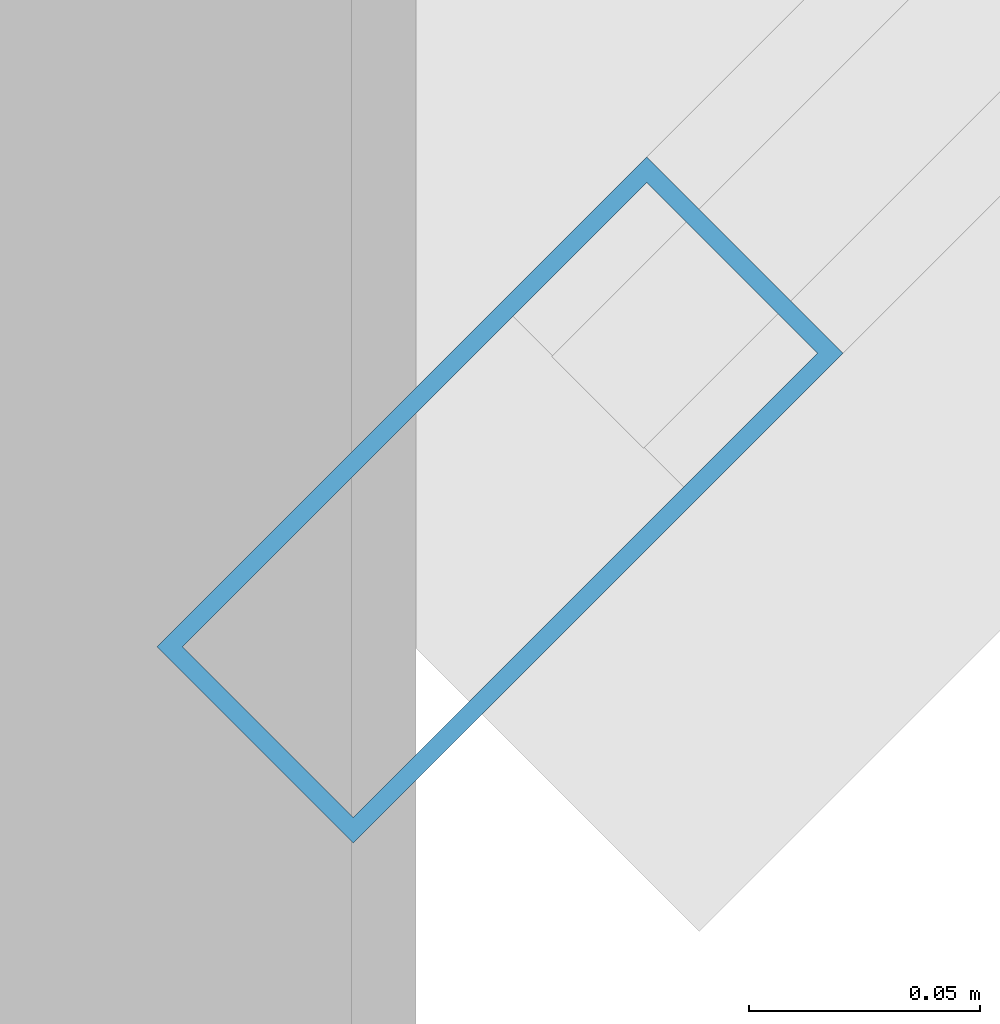
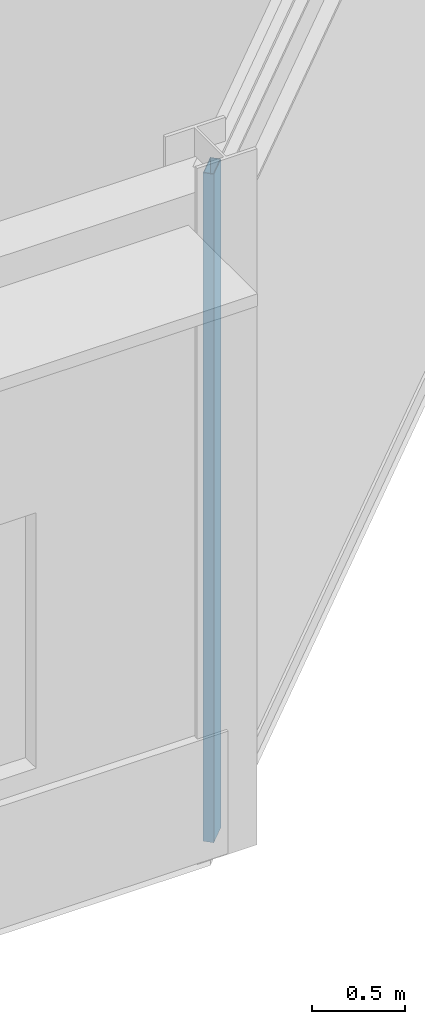
# One storey, part 31 of 116: 1 member, 1 element without a shape of its own.
"""IFC4 building model written with IfcOpenShell, lengths in metres."""

from ifc_helpers import new_model, si_unit, direction, frame, origin, origin_2d, place, context, subcontext, project, spatial, hollow_rectangle, extrude, material, material_profile, profile_set, type_object, element, aggregate, save


model = new_model("IFC4")

# Units and contexts
model_context = context("Model", 3, precision=1e-05, world=origin(), true_north=direction((0.0, 1.0)))
body_context = subcontext(model_context, "Body", "Model", "MODEL_VIEW")
ifc_project = project(units=[si_unit("LENGTHUNIT", "METRE"), si_unit("AREAUNIT", "SQUARE_METRE"), si_unit("VOLUMEUNIT", "CUBIC_METRE"), si_unit("PLANEANGLEUNIT", "RADIAN"), si_unit("MASSUNIT", "GRAM", prefix="KILO")], contexts=[model_context])

# Site, building, storey
site_placement = place(None, origin())
site = spatial("IfcSite", under=ifc_project, at=site_placement, CompositionType="ELEMENT")
building_placement = place(site_placement, origin())
building = spatial("IfcBuilding", under=site, at=building_placement, Name="Almandine Court Research Institute", CompositionType="ELEMENT")
storey_placement = place(building_placement, frame((0.0, 0.0, 14.35009765625)))
storey = spatial("IfcBuildingStorey", under=building, at=storey_placement, Name="L03", CompositionType="ELEMENT", Elevation=14.35009765625)

# Curtain wall, member
ifc_material_1 = material(Name="Unitised Curtain Wall Framing and Solar Glazing", Category="glass")
curtain_wall_type = type_object("IfcCurtainWallType", Name="CW-CWG-05", PredefinedType="USERDEFINED", material=ifc_material_1)
curtain_wall_placement = place(storey_placement, origin())
curtain_wall = element("IfcCurtainWall", 1, at=curtain_wall_placement, inside=storey, type_object=curtain_wall_type, Name="L03 Cleanroom SE Chamfer Glazing", ObjectType="UNITISED GLAZING", PredefinedType="USERDEFINED")
ifc_material_2 = material(Name="Anodised Aluminium AW-6063-T6", Category="aluminium")
ifc_material_profile = material_profile(ifc_material_2, hollow_rectangle(XDim=0.06005859375, YDim=0.14990234375, WallThickness=0.00390625, at=origin_2d()), Name="ALU RHS 60x150x4")
ifc_profile_set = profile_set([ifc_material_profile], Name="Anodised Aluminium AW-6063-T6")
member_type = type_object("IfcMemberType", Name="CWMul-60x150", PredefinedType="MULLION", material=ifc_profile_set)
member_placement = place(storey_placement, frame((30.025146484375, 84.025146484375, 0.0), z_axis=(0.0, 0.0, 1.0), x_axis=(0.707106781187, -0.707106781187, 0.0)))
member = element("IfcMember", 2, at=member_placement, type_object=member_type, Name="CWG-05 mullion 2", PredefinedType="MULLION", context=body_context, shape_type="SweptSolid", body=[
    extrude(hollow_rectangle(XDim=0.06005859375, YDim=0.14990234375, WallThickness=0.00390625, at=origin_2d()), origin(), (0.0, 0.0, 1.0), 4.369873046875),
])
aggregate(curtain_wall, [member])

save(model, "model.ifc")
